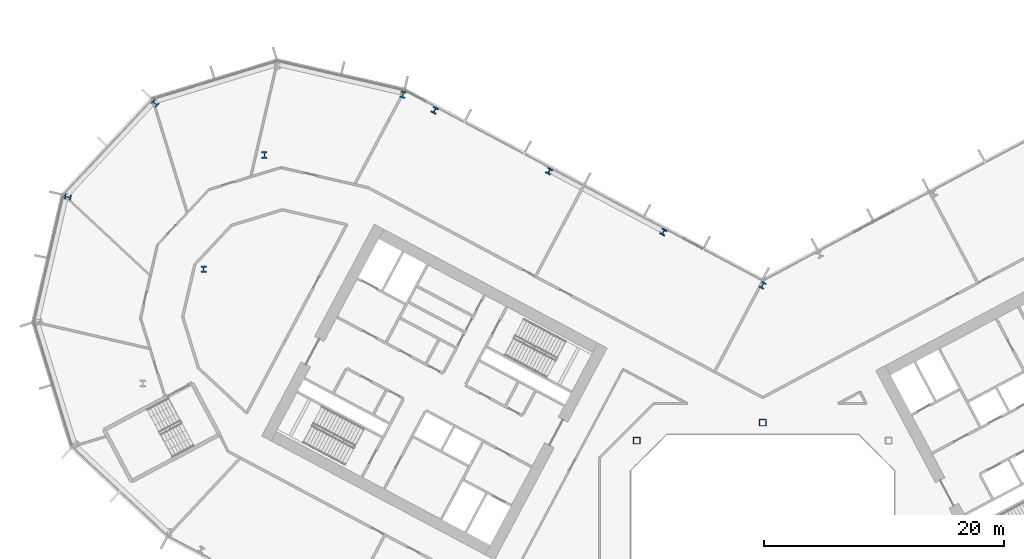
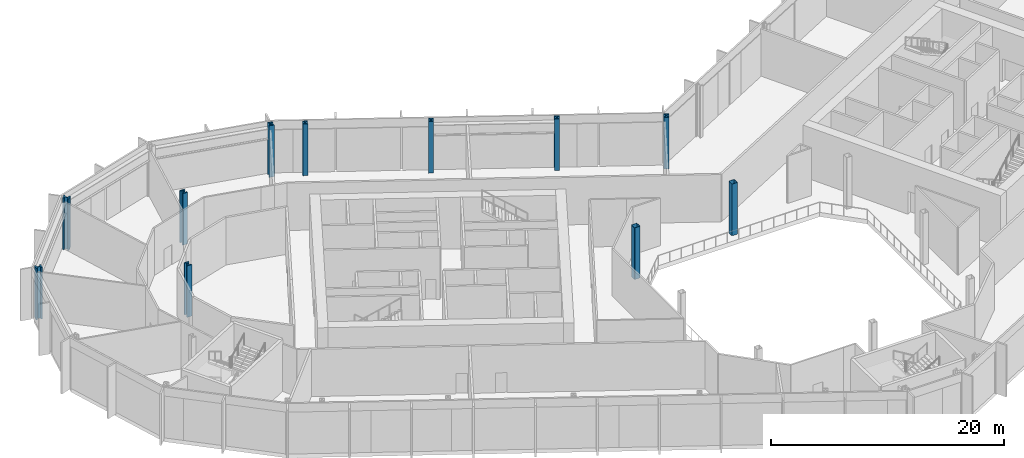
# One storey, part 2 of 31: 11 columns.
"""IFC4 building model written with IfcOpenShell, lengths in metres."""

from ifc_helpers import new_model, si_unit, direction, frame, origin, origin_2d, place, context, subcontext, project, spatial, hollow_rectangle, i_section, extrude, material, material_profile, profile_set, type_object, element, save


model = new_model("IFC4")

# Units and contexts
model_context = context("Model", 3, precision=1e-05, world=origin(), true_north=direction((0.0, 1.0)))
body_context = subcontext(model_context, "Body", "Model", "MODEL_VIEW")
ifc_project = project(units=[si_unit("LENGTHUNIT", "METRE"), si_unit("AREAUNIT", "SQUARE_METRE"), si_unit("VOLUMEUNIT", "CUBIC_METRE"), si_unit("PLANEANGLEUNIT", "RADIAN"), si_unit("MASSUNIT", "GRAM", prefix="KILO")], contexts=[model_context])

# Site, building, storey
site_placement = place(None, origin())
site = spatial("IfcSite", under=ifc_project, at=site_placement, CompositionType="ELEMENT")
building_placement = place(site_placement, origin())
building = spatial("IfcBuilding", under=site, at=building_placement, Name="Cormorant Relay Tower", CompositionType="ELEMENT")
storey_placement = place(building_placement, frame((0.0, 0.0, 50.0)))
storey = spatial("IfcBuildingStorey", under=building, at=storey_placement, Name="L09", CompositionType="ELEMENT", Elevation=50.0)

# Columns
ifc_material_1 = material(Name="Steel ASTM A1085 Grade A (Fy 345 MPa)", Category="steel")
ifc_material_profile_1 = material_profile(ifc_material_1, hollow_rectangle(XDim=0.558837890625, YDim=0.558837890625, WallThickness=0.023681640625, InnerFilletRadius=0.01171875, OuterFilletRadius=0.035400390625, at=origin_2d()), Name="HSS559x559x24")
ifc_profile_set_1 = profile_set([ifc_material_profile_1], Name="Steel ASTM A1085 Grade A (Fy 345 MPa)")
column_type_1 = type_object("IfcColumnType", Name="Column HSS559x559x24", PredefinedType="COLUMN", material=ifc_profile_set_1)
for number, where, z_axis, x_axis, name in (
    (1, (-10.5, 10.5, 0.0), (0.0, 0.0, 1.0), (1.0, 0.0, 0.0), "Column L09-022"),
    (2, (0.0, 12.0, 0.0), (0.0, 0.0, 1.0), (1.0, 0.0, 0.0), "Column L09-024"),
):
    element("IfcColumn", number, at=place(storey_placement, frame(where, z_axis=z_axis, x_axis=x_axis)), inside=storey, type_object=column_type_1, Name=name, PredefinedType="COLUMN", context=body_context, shape_type="SweptSolid", body=[
        extrude(hollow_rectangle(XDim=0.558837890625, YDim=0.558837890625, WallThickness=0.023681640625, InnerFilletRadius=0.01171875, OuterFilletRadius=0.035400390625, at=origin_2d()), origin(), (0.0, 0.0, 1.0), 5.39990234375),
    ])
ifc_material_2 = material(Name="Steel ASTM A992 (Fy 345 MPa)", Category="steel")
ifc_material_profile_2 = material_profile(ifc_material_2, i_section(OverallWidth=0.45458984375, OverallDepth=0.569091796875, WebThickness=0.077880859375, FlangeThickness=0.124755859375, FilletRadius=0.015380859375, at=origin_2d()), Name="W360x1086")
ifc_profile_set_2 = profile_set([ifc_material_profile_2], Name="Steel ASTM A992 (Fy 345 MPa)")
column_type_2 = type_object("IfcColumnType", Name="Column W360x1086", PredefinedType="COLUMN", material=ifc_profile_set_2)
for number, where, z_axis, x_axis, name in (
    (3, (0.0, 23.4541015625, 0.0), (0.0, 0.0, 1.0), (-0.882947592859, 0.469471562786, 0.0), "Column L09-032"),
    (4, (-46.6201171875, 24.7880859375, 0.0), (0.0, 0.0, 1.0), (1.0, 0.0, 0.0), "Column L09-034"),
    (5, (-57.93896484375, 30.806884765625, 0.0), (0.0, 0.0, 1.0), (-0.224951054344, -0.974370064785, 0.0), "Column L09-038"),
    (6, (-41.549072265625, 34.323974609375, 0.0), (0.0, 0.0, 1.0), (1.0, 0.0, 0.0), "Column L09-043"),
    (7, (-50.659912109375, 38.613037109375, 0.0), (0.0, 0.0, 1.0), (-0.681998360062, -0.731353701619, 0.0), "Column L09-047"),
    (8, (-29.992919921875, 39.35009765625, 0.0), (0.0, 0.0, 1.0), (-0.974370064785, 0.224951054344, 0.0), "Column L09-048"),
):
    element("IfcColumn", number, at=place(storey_placement, frame(where, z_axis=z_axis, x_axis=x_axis)), inside=storey, type_object=column_type_2, Name=name, PredefinedType="COLUMN", context=body_context, shape_type="SweptSolid", body=[
        extrude(i_section(OverallWidth=0.45458984375, OverallDepth=0.569091796875, WebThickness=0.077880859375, FlangeThickness=0.124755859375, FilletRadius=0.015380859375, at=origin_2d()), origin(), (0.0, 0.0, 1.0), 5.39990234375),
    ])
ifc_material_3 = material(Name="Steel ASTM A992 (Fy 345 MPa)", Category="steel")
ifc_material_profile_3 = material_profile(ifc_material_3, i_section(OverallWidth=0.43701171875, OverallDepth=0.51318359375, WebThickness=0.060546875, FlangeThickness=0.096923828125, FilletRadius=0.015380859375, at=origin_2d()), Name="W360x818")
ifc_profile_set_3 = profile_set([ifc_material_profile_3], Name="Steel ASTM A992 (Fy 345 MPa)")
column_type_3 = type_object("IfcColumnType", Name="Column W360x818", PredefinedType="COLUMN", material=ifc_profile_set_3)
for number, where, z_axis, x_axis, name in (
    (9, (-8.27490234375, 27.889892578125, 0.0), (0.0, 0.0, 1.0), (-0.882947592859, 0.469471562786, 0.0), "Column L09-036"),
    (10, (-17.81103515625, 32.9599609375, 0.0), (0.0, 0.0, 1.0), (-0.882947592859, 0.469471562786, 0.0), "Column L09-041"),
    (11, (-27.346923828125, 38.030029296875, 0.0), (0.0, 0.0, 1.0), (-0.882947592859, 0.469471562786, 0.0), "Column L09-046"),
):
    element("IfcColumn", number, at=place(storey_placement, frame(where, z_axis=z_axis, x_axis=x_axis)), inside=storey, type_object=column_type_3, Name=name, PredefinedType="COLUMN", context=body_context, shape_type="SweptSolid", body=[
        extrude(i_section(OverallWidth=0.43701171875, OverallDepth=0.51318359375, WebThickness=0.060546875, FlangeThickness=0.096923828125, FilletRadius=0.015380859375, at=origin_2d()), origin(), (0.0, 0.0, 1.0), 5.39990234375),
    ])

save(model, "model.ifc")
